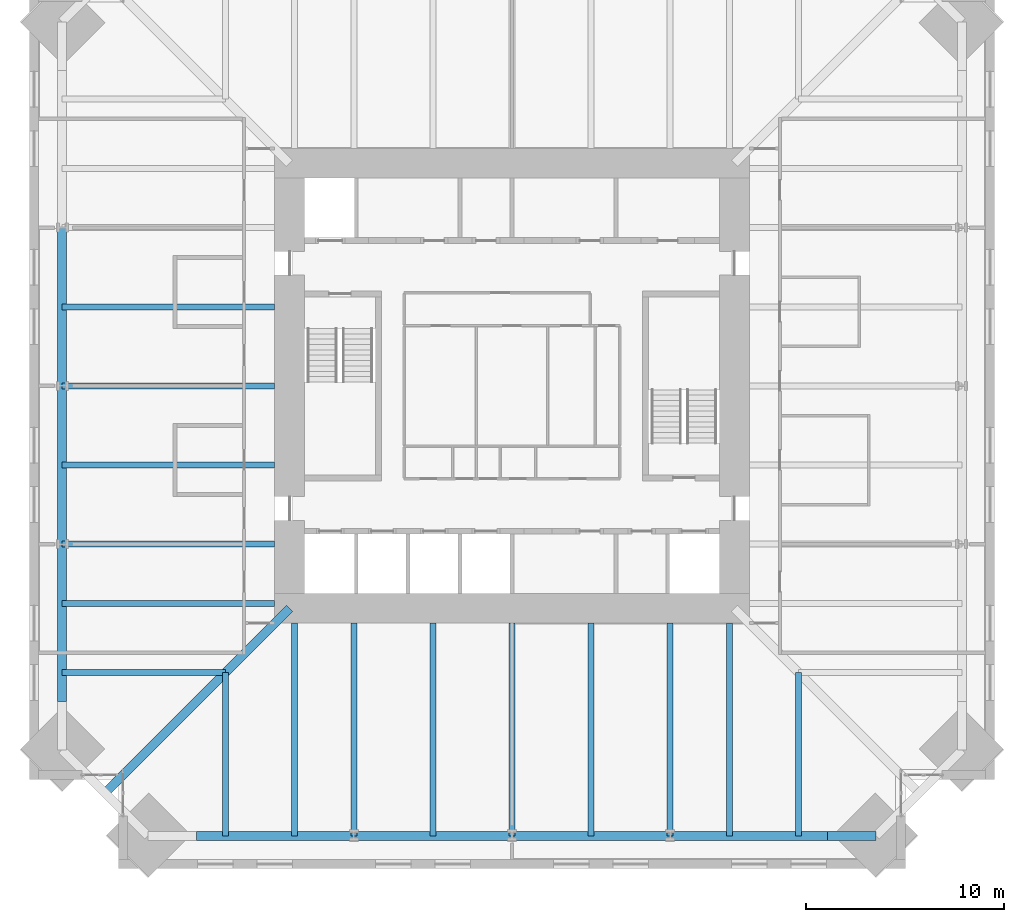
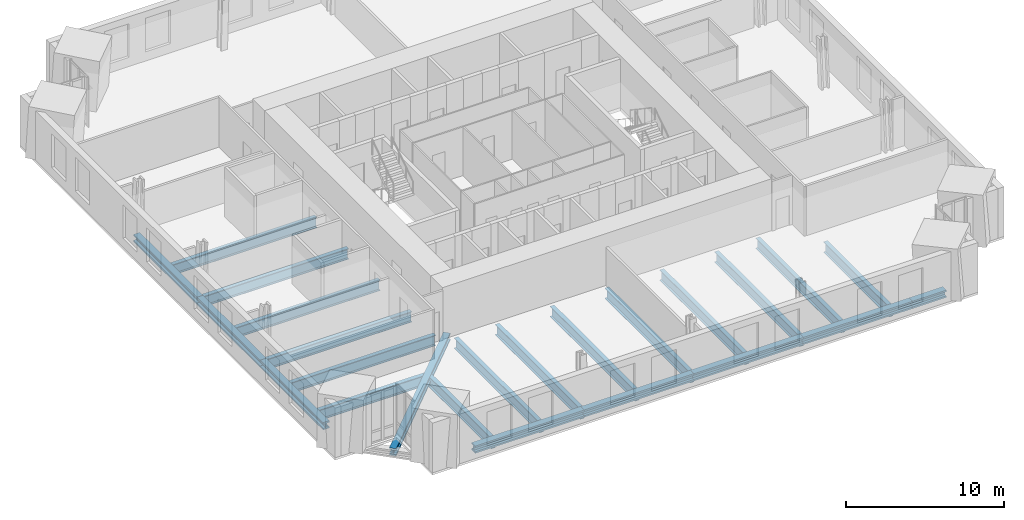
# One storey, part 3 of 15: 16 beams, 8 members.
"""IFC4 building model written with IfcOpenShell, lengths in metres."""

from ifc_helpers import new_model, si_unit, direction, frame, origin, origin_2d, place, context, subcontext, project, spatial, i_section, extrude, material, material_profile, profile_set, type_object, element, save


model = new_model("IFC4")

# Units and contexts
model_context = context("Model", 3, precision=1e-05, world=origin(), true_north=direction((0.0, 1.0)))
body_context = subcontext(model_context, "Body", "Model", "MODEL_VIEW")
ifc_project = project(units=[si_unit("LENGTHUNIT", "METRE"), si_unit("AREAUNIT", "SQUARE_METRE"), si_unit("VOLUMEUNIT", "CUBIC_METRE"), si_unit("PLANEANGLEUNIT", "RADIAN"), si_unit("MASSUNIT", "GRAM", prefix="KILO")], contexts=[model_context])

# Site, building, storey
site_placement = place(None, origin())
site = spatial("IfcSite", under=ifc_project, at=site_placement, CompositionType="ELEMENT")
building_placement = place(site_placement, origin())
building = spatial("IfcBuilding", under=site, at=building_placement, Name="Peilmerk Tower", CompositionType="ELEMENT")
storey_placement = place(building_placement, frame((0.0, 0.0, 201.800048828125)))
storey = spatial("IfcBuildingStorey", under=building, at=storey_placement, Name="L43", CompositionType="ELEMENT", Elevation=201.800048828125)

# Beams
ifc_material = material(Name="Steel S460", Category="steel")
ifc_material_profile_1 = material_profile(ifc_material, i_section(OverallWidth=0.302978515625, OverallDepth=0.81396484375, WebThickness=0.02099609375, FlangeThickness=0.0400390625, at=origin_2d()), Name="HEM 800")
ifc_profile_set_1 = profile_set([ifc_material_profile_1], Name="Steel S460")
beam_type_1 = type_object("IfcBeamType", Name="B26 HEM 800 floor beam", PredefinedType="BEAM", material=ifc_profile_set_1)
for number, where, z_axis, x_axis, name in (
    (1, (-11.0, -12.0, -0.5771484375), (0.0, -1.0, 0.0), (1.0, 0.0, 0.0), "Floor beam L43"),
    (2, (-8.0, -12.0, -0.5771484375), (0.0, -1.0, 0.0), (1.0, 0.0, 0.0), "Floor beam L43"),
    (3, (-4.0, -12.0, -0.5771484375), (0.0, -1.0, 0.0), (1.0, 0.0, 0.0), "Floor beam L43"),
    (4, (0.0, -12.0, -0.5771484375), (0.0, -1.0, 0.0), (1.0, 0.0, 0.0), "Floor beam L43"),
    (5, (4.0, -12.0, -0.5771484375), (0.0, -1.0, 0.0), (1.0, 0.0, 0.0), "Floor beam L43"),
    (6, (8.0, -12.0, -0.5771484375), (0.0, -1.0, 0.0), (1.0, 0.0, 0.0), "Floor beam L43"),
    (7, (11.0, -12.0, -0.5771484375), (0.0, -1.0, 0.0), (1.0, 0.0, 0.0), "Floor beam L43"),
    (8, (-12.0, 4.0, -0.5771484375), (-1.0, 0.0, 0.0), (0.0, -1.0, 0.0), "Floor beam L43"),
    (9, (-12.0, 0.0, -0.5771484375), (-1.0, 0.0, 0.0), (0.0, -1.0, 0.0), "Floor beam L43"),
    (10, (-12.0, -4.0, -0.5771484375), (-1.0, 0.0, 0.0), (0.0, -1.0, 0.0), "Floor beam L43"),
    (11, (-12.0, -8.0, -0.5771484375), (-1.0, 0.0, 0.0), (0.0, -1.0, 0.0), "Floor beam L43"),
    (12, (-12.0, -11.0, -0.5771484375), (-1.0, 0.0, 0.0), (0.0, -1.0, 0.0), "Floor beam L43"),
):
    element("IfcBeam", number, at=place(storey_placement, frame(where, z_axis=z_axis, x_axis=x_axis)), inside=storey, type_object=beam_type_1, Name=name, PredefinedType="BEAM", context=body_context, shape_type="SweptSolid", body=[
        extrude(i_section(OverallWidth=0.302978515625, OverallDepth=0.81396484375, WebThickness=0.02099609375, FlangeThickness=0.0400390625, at=origin_2d()), origin(), (0.0, 0.0, 1.0), 10.759765625),
    ])
for number, where, z_axis, x_axis, name in (
    (13, (14.5, -14.5, -0.5771484375), (0.0, -1.0, 0.0), (1.0, 0.0, 0.0), "Floor beam L43"),
    (14, (-14.5, -14.5, -0.5771484375), (0.0, -1.0, 0.0), (1.0, 0.0, 0.0), "Floor beam L43"),
    (15, (-14.5, -14.5, -0.5771484375), (-1.0, 0.0, 0.0), (0.0, -1.0, 0.0), "Floor beam L43"),
):
    element("IfcBeam", number, at=place(storey_placement, frame(where, z_axis=z_axis, x_axis=x_axis)), inside=storey, type_object=beam_type_1, Name=name, PredefinedType="BEAM", context=body_context, shape_type="SweptSolid", body=[
        extrude(i_section(OverallWidth=0.302978515625, OverallDepth=0.81396484375, WebThickness=0.02099609375, FlangeThickness=0.0400390625, at=origin_2d()), origin(), (0.0, 0.0, 1.0), 8.259765625),
    ])
ifc_material_profile_2 = material_profile(ifc_material, i_section(OverallWidth=0.4541015625, OverallDepth=0.569091796875, WebThickness=0.077880859375, FlangeThickness=0.125, at=origin_2d()), Name="HD 400x1086")
ifc_profile_set_2 = profile_set([ifc_material_profile_2], Name="Steel S460")
beam_type_2 = type_object("IfcBeamType", Name="B9 HD 400x1086 corner girder", PredefinedType="BEAM", material=ifc_profile_set_2)
beam_placement = place(storey_placement, frame((-11.25, -11.25, -0.45458984375), z_axis=(-0.707106781187, -0.707106781187, 0.0), x_axis=(0.707106781187, -0.707106781187, 0.0)))
element("IfcBeam", 16, at=beam_placement, inside=storey, type_object=beam_type_2, Name="Corner girder L43", PredefinedType="BEAM", context=body_context, shape_type="SweptSolid", body=[
    extrude(i_section(OverallWidth=0.4541015625, OverallDepth=0.569091796875, WebThickness=0.077880859375, FlangeThickness=0.125, at=origin_2d()), origin(), (0.0, 0.0, 1.0), 13.201171875),
])

# Members
ifc_material_profile_3 = material_profile(ifc_material, i_section(OverallWidth=0.4541015625, OverallDepth=0.569091796875, WebThickness=0.077880859375, FlangeThickness=0.125, at=origin_2d()), Name="HD 400x1086")
ifc_profile_set_3 = profile_set([ifc_material_profile_3], Name="Steel S460")
member_type = type_object("IfcMemberType", Name="M1 HD 400x1086 belt truss chord", PredefinedType="CHORD", material=ifc_profile_set_3)
member_1_placement = place(storey_placement, frame((-15.949951171875, -22.759765625, -0.45458984375), z_axis=(1.0, 0.0, 0.0), x_axis=(0.0, 1.0, 0.0)))
element("IfcMember", 17, at=member_1_placement, inside=storey, type_object=member_type, Name="Belt truss chord L43", PredefinedType="CHORD", context=body_context, shape_type="SweptSolid", body=[
    extrude(i_section(OverallWidth=0.4541015625, OverallDepth=0.569091796875, WebThickness=0.077880859375, FlangeThickness=0.125, at=origin_2d()), origin(), (0.0, 0.0, 1.0), 7.949951171875),
])
for number, where, z_axis, x_axis, name in (
    (18, (-8.0, -22.759765625, -0.45458984375), (1.0, 0.0, 0.0), (0.0, 1.0, 0.0), "Belt truss chord L43"),
    (19, (0.0, -22.759765625, -0.45458984375), (1.0, 0.0, 0.0), (0.0, 1.0, 0.0), "Belt truss chord L43"),
):
    element("IfcMember", number, at=place(storey_placement, frame(where, z_axis=z_axis, x_axis=x_axis)), inside=storey, type_object=member_type, Name=name, PredefinedType="CHORD", context=body_context, shape_type="SweptSolid", body=[
        extrude(i_section(OverallWidth=0.4541015625, OverallDepth=0.569091796875, WebThickness=0.077880859375, FlangeThickness=0.125, at=origin_2d()), origin(), (0.0, 0.0, 1.0), 8.0),
    ])
member_2_placement = place(storey_placement, frame((8.0, -22.759765625, -0.45458984375), z_axis=(1.0, 0.0, 0.0), x_axis=(0.0, 1.0, 0.0)))
element("IfcMember", 20, at=member_2_placement, inside=storey, type_object=member_type, Name="Belt truss chord L43", PredefinedType="CHORD", context=body_context, shape_type="SweptSolid", body=[
    extrude(i_section(OverallWidth=0.4541015625, OverallDepth=0.569091796875, WebThickness=0.077880859375, FlangeThickness=0.125, at=origin_2d()), origin(), (0.0, 0.0, 1.0), 7.949951171875),
])
member_3_placement = place(storey_placement, frame((15.949951171875, -22.759765625, -0.45458984375), z_axis=(1.0, 0.0, 0.0), x_axis=(0.0, 1.0, 0.0)))
element("IfcMember", 21, at=member_3_placement, inside=storey, type_object=member_type, Name="Belt truss chord L43", PredefinedType="CHORD", context=body_context, shape_type="SweptSolid", body=[
    extrude(i_section(OverallWidth=0.4541015625, OverallDepth=0.569091796875, WebThickness=0.077880859375, FlangeThickness=0.125, at=origin_2d()), origin(), (0.0, 0.0, 1.0), 2.459716796875),
])
for number, where, z_axis, x_axis, name in (
    (22, (-22.759765625, 8.0, -0.45458984375), (0.0, -1.0, 0.0), (1.0, 0.0, 0.0), "Belt truss chord L43"),
    (23, (-22.759765625, 0.0, -0.45458984375), (0.0, -1.0, 0.0), (1.0, 0.0, 0.0), "Belt truss chord L43"),
):
    element("IfcMember", number, at=place(storey_placement, frame(where, z_axis=z_axis, x_axis=x_axis)), inside=storey, type_object=member_type, Name=name, PredefinedType="CHORD", context=body_context, shape_type="SweptSolid", body=[
        extrude(i_section(OverallWidth=0.4541015625, OverallDepth=0.569091796875, WebThickness=0.077880859375, FlangeThickness=0.125, at=origin_2d()), origin(), (0.0, 0.0, 1.0), 8.0),
    ])
member_4_placement = place(storey_placement, frame((-22.759765625, -8.0, -0.45458984375), z_axis=(0.0, -1.0, 0.0), x_axis=(1.0, 0.0, 0.0)))
element("IfcMember", 24, at=member_4_placement, inside=storey, type_object=member_type, Name="Belt truss chord L43", PredefinedType="CHORD", context=body_context, shape_type="SweptSolid", body=[
    extrude(i_section(OverallWidth=0.4541015625, OverallDepth=0.569091796875, WebThickness=0.077880859375, FlangeThickness=0.125, at=origin_2d()), origin(), (0.0, 0.0, 1.0), 7.949951171875),
])

save(model, "model.ifc")
